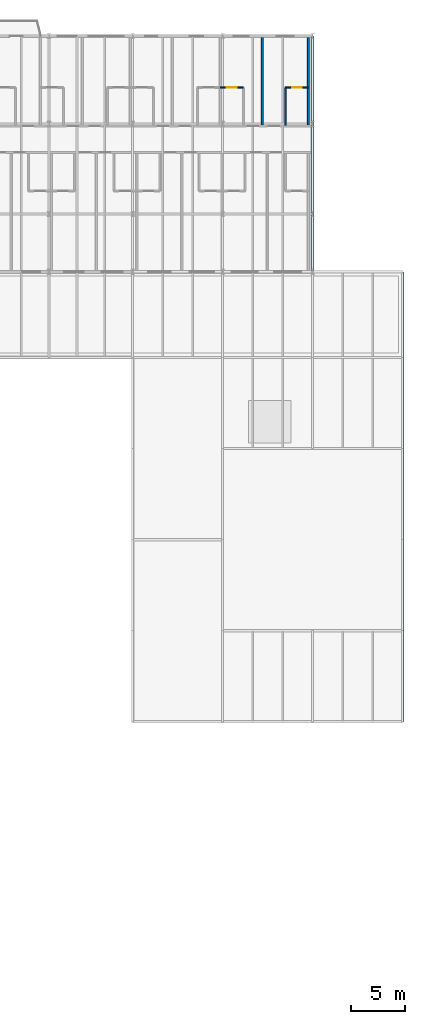
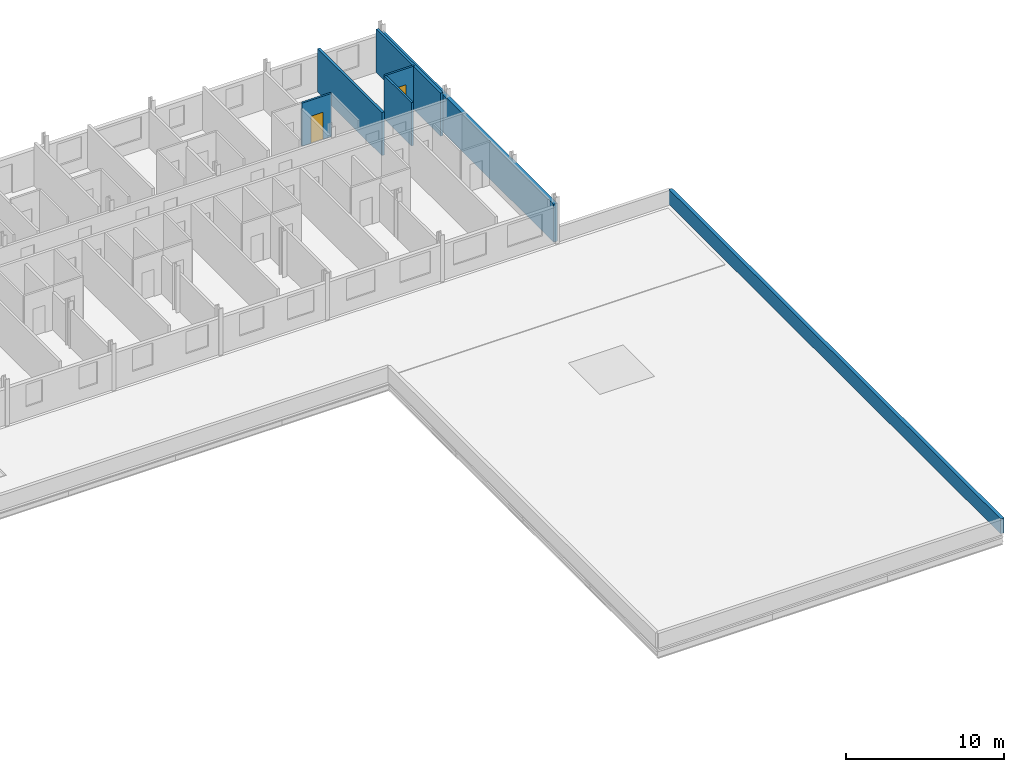
# One storey, part 31 of 36: 7 walls, 2 doors, 2 openings.
"""IFC4 building model written with IfcOpenShell, lengths in metres."""

import ifcopenshell
import ifcopenshell.guid

model = None  # the IFC model being written
_history = None  # IfcOwnerHistory: only IFC2X3 demands one
_inside = {}  # id of a spatial element -> (the spatial element, [elements in it])
_under = {}  # id of a project, library or spatial element -> (it, [spatial elements below it])
_declared = {}  # id of a project -> (the project, [libraries it declares])
_typed = {}  # id of a type object -> (the type object, [elements of that type])
_made_of = {}  # id of a material, layer set ... -> (it, [elements and type objects made of it])


def new_model(schema):
    """Start an empty IFC model of exactly this schema.

    Asked for "IFC4X3", IfcOpenShell would pick the latest addendum, in which some entities
    have other attributes; the version numbers below select the first issue.
    IFC2X3 requires an IfcOwnerHistory on every rooted entity: one is made here for all.
    """
    global model, _history
    if schema == "IFC4X3":
        model = ifcopenshell.file(schema_version=(4, 3, 0, 0))
    else:
        model = ifcopenshell.file(schema=schema)
    _inside.clear()
    _under.clear()
    _declared.clear()
    _typed.clear()
    _made_of.clear()
    _history = None
    if model.schema == "IFC2X3":
        org = make("IfcOrganization", Name="unknown")
        user = make(
            "IfcPersonAndOrganization",
            ThePerson=make("IfcPerson", FamilyName="unknown"),
            TheOrganization=org,
        )
        app = make(
            "IfcApplication",
            ApplicationDeveloper=org,
            Version="unknown",
            ApplicationFullName="unknown",
            ApplicationIdentifier="unknown",
        )
        _history = make(
            "IfcOwnerHistory",
            OwningUser=user,
            OwningApplication=app,
            ChangeAction="ADDED",
            CreationDate=0,
        )
    return model


def make(cls, **values):
    """One entity of the class cls with the attributes given. An attribute that is None is left unset."""
    return model.create_entity(
        cls, **{name: value for name, value in values.items() if value is not None}
    )


def rooted(cls, **values):
    """An entity with a GlobalId (a new one), such as an element, a storey or a relation."""
    return make(cls, GlobalId=ifcopenshell.guid.new(), OwnerHistory=_history, **values)


def si_unit(unit_type, name, prefix=None):
    """IfcSIUnit, for example si_unit("LENGTHUNIT", "METRE", prefix="MILLI")."""
    return make("IfcSIUnit", UnitType=unit_type, Prefix=prefix, Name=name)


def assignment(units):
    """IfcUnitAssignment: the units of a project."""
    return None if units is None else make("IfcUnitAssignment", Units=units)


def point(xyz):
    """IfcCartesianPoint."""
    return None if xyz is None else make("IfcCartesianPoint", Coordinates=xyz)


def direction(xyz):
    """IfcDirection."""
    return None if xyz is None else make("IfcDirection", DirectionRatios=xyz)


def frame(location, z_axis=None, x_axis=None):
    """IfcAxis2Placement3D, a coordinate frame: its origin and axes. An axis left out is left unset."""
    return make(
        "IfcAxis2Placement3D",
        Location=point(location),
        Axis=direction(z_axis),
        RefDirection=direction(x_axis),
    )


def frame_2d(location, x_axis=None):
    """IfcAxis2Placement2D, a coordinate frame in the plane: its origin and x axis."""
    return make(
        "IfcAxis2Placement2D", Location=point(location), RefDirection=direction(x_axis)
    )


def origin():
    """The frame at (0, 0, 0) with its axes left unset."""
    return frame((0.0, 0.0, 0.0))


def place(relative_to, where):
    """IfcLocalPlacement: puts the frame where relative to a parent placement (None: the world)."""
    return make(
        "IfcLocalPlacement", PlacementRelTo=relative_to, RelativePlacement=where
    )


def context(
    kind, dimensions, precision=None, world=None, true_north=None, identifier=None
):
    """IfcGeometricRepresentationContext, for example the 3D "Model" context."""
    return make(
        "IfcGeometricRepresentationContext",
        ContextIdentifier=identifier,
        ContextType=kind,
        CoordinateSpaceDimension=dimensions,
        Precision=precision,
        WorldCoordinateSystem=world,
        TrueNorth=true_north,
    )


def subcontext(parent, identifier, kind, view, scale=None):
    """IfcGeometricRepresentationSubContext, for example "Body" below "Model"."""
    return make(
        "IfcGeometricRepresentationSubContext",
        ContextIdentifier=identifier,
        ContextType=kind,
        ParentContext=parent,
        TargetScale=scale,
        TargetView=view,
    )


def project(units=None, contexts=None):
    """IfcProject with its units and contexts."""
    return rooted(
        "IfcProject",
        Name="project",
        RepresentationContexts=contexts,
        UnitsInContext=assignment(units),
    )


def spatial(cls, under=None, at=None, **own):
    """A site, building, storey or space (cls), placed at a placement, below another one or the project."""
    s = rooted(cls, ObjectPlacement=at, **own)
    if under is not None:
        _under.setdefault(under.id(), (under, []))[1].append(s)
    return s


def profile(cls, at=None, kind="AREA", **sizes):
    """A parametric profile (cls). Its sizes go by their IFC names, for example OverallWidth=200.0."""
    return make(cls, ProfileType=kind, Position=at, **sizes)


def rectangle(**sizes):
    """IfcRectangleProfileDef."""
    return profile("IfcRectangleProfileDef", **sizes)


def extrude(swept, where, along, depth):
    """IfcExtrudedAreaSolid: the profile swept, set in the frame where, extruded along a direction by depth."""
    return make(
        "IfcExtrudedAreaSolid",
        SweptArea=swept,
        Position=where,
        ExtrudedDirection=direction(along),
        Depth=depth,
    )


def shape(context_of_items, identifier, shape_type, items):
    """IfcShapeRepresentation: the items that make up one representation, for example the "Body"."""
    return make(
        "IfcShapeRepresentation",
        ContextOfItems=context_of_items,
        RepresentationIdentifier=identifier,
        RepresentationType=shape_type,
        Items=items,
    )


def material(Name=None, Category=None):
    """IfcMaterial."""
    return make("IfcMaterial", Name=Name, Category=Category)


def layer(
    of_material, thickness, ventilated=None, Name=None, Category=None, Priority=None
):
    """IfcMaterialLayer: one layer of a wall or slab, of a material (None: an air gap)."""
    return make(
        "IfcMaterialLayer",
        Material=of_material,
        LayerThickness=thickness,
        IsVentilated=ventilated,
        Name=Name,
        Category=Category,
        Priority=Priority,
    )


def layer_set(layers, Name=None):
    """IfcMaterialLayerSet."""
    return make("IfcMaterialLayerSet", MaterialLayers=layers, LayerSetName=Name)


def made_of(thing, what):
    """Note that an element or type object is made of a material, layer set ...; save() writes the relation."""
    if what is not None:
        _made_of.setdefault(what.id(), (what, []))[1].append(thing)
    return thing


def type_object(cls, material=None, **own):
    """A type object (cls), such as IfcWallType, which elements share."""
    return made_of(rooted(cls, **own), material)


def element(
    cls,
    number,
    at=None,
    inside=None,
    cuts=None,
    type_object=None,
    material=None,
    context=None,
    identifier="Body",
    shape_type=None,
    held_by="IfcProductDefinitionShape",
    body=None,
    shapes=None,
    **own,
):
    """One element of the class cls, such as IfcWall. Its Tag is "e" and its number.

    at: its placement. inside: the storey or other place that contains it. cuts: it is an
    opening in that element (IfcRelVoidsElement). A single representation is given by context,
    identifier, shape_type and body (its items); several are given by shapes. held_by: the class
    of the entity that holds the representations. save() writes the other relations.
    """
    e = rooted(cls, Tag="e%d" % number, ObjectPlacement=at, **own)
    if body is not None:
        shapes = [shape(context, identifier, shape_type, body)]
    if shapes is not None:
        e.Representation = make(held_by, Representations=shapes)
    if inside is not None:
        _inside.setdefault(inside.id(), (inside, []))[1].append(e)
    if cuts is not None:
        rooted(
            "IfcRelVoidsElement", RelatingBuildingElement=cuts, RelatedOpeningElement=e
        )
    if type_object is not None:
        _typed.setdefault(type_object.id(), (type_object, []))[1].append(e)
    return made_of(e, material)


def fill(opening, filler):
    """IfcRelFillsElement: the door or window that sits in an opening."""
    return rooted(
        "IfcRelFillsElement",
        RelatingOpeningElement=opening,
        RelatedBuildingElement=filler,
    )


def aggregate(whole, parts):
    """IfcRelAggregates: a whole, such as a stair, and the parts it consists of."""
    return rooted("IfcRelAggregates", RelatingObject=whole, RelatedObjects=parts)


def save(model, path):
    """Write the relations noted so far, then the file.

    IfcRelAggregates (storeys below a building ...), IfcRelContainedInSpatialStructure (elements
    in a storey), IfcRelDefinesByType, IfcRelAssociatesMaterial and IfcRelDeclares: one each for
    every whole, place, type object, material and project.
    """
    for whole, parts in _under.values():
        aggregate(whole, parts)
    for where, things in _inside.values():
        rooted(
            "IfcRelContainedInSpatialStructure",
            RelatedElements=things,
            RelatingStructure=where,
        )
    for kind, things in _typed.values():
        rooted("IfcRelDefinesByType", RelatedObjects=things, RelatingType=kind)
    for what, things in _made_of.values():
        rooted("IfcRelAssociatesMaterial", RelatedObjects=things, RelatingMaterial=what)
    for by, libraries in _declared.values():
        rooted("IfcRelDeclares", RelatingContext=by, RelatedDefinitions=libraries)
    model.write(path)


model = new_model("IFC4")

# Units and contexts
model_context = context("Model", 3, precision=1e-05, world=origin(), true_north=direction((0.0, 1.0)))
body_context = subcontext(model_context, "Body", "Model", "MODEL_VIEW")
ifc_project = project(units=[si_unit("LENGTHUNIT", "METRE"), si_unit("AREAUNIT", "SQUARE_METRE"), si_unit("VOLUMEUNIT", "CUBIC_METRE"), si_unit("PLANEANGLEUNIT", "RADIAN"), si_unit("MASSUNIT", "GRAM", prefix="KILO")], contexts=[model_context])

# Site, building, storey
site_placement = place(None, origin())
site = spatial("IfcSite", under=ifc_project, at=site_placement, CompositionType="ELEMENT")
building_placement = place(site_placement, origin())
building = spatial("IfcBuilding", under=site, at=building_placement, Name="Sefraquen Railside Congress Hotel", CompositionType="ELEMENT")
storey_placement = place(building_placement, frame((0.0, 0.0, 24.60009765625)))
storey = spatial("IfcBuildingStorey", under=building, at=storey_placement, Name="L05", CompositionType="ELEMENT", Elevation=24.60009765625)

# Walls
ifc_material_1 = material(Name="Ochre Rabat calcarenite limestone and Concrete C40/50 backing", Category="masonry")
ifc_layer_1 = layer(ifc_material_1, 0.280029296875)
ifc_layer_set_1 = layer_set([ifc_layer_1], Name="Ochre Rabat calcarenite limestone and Concrete C40/50 backing")
wall_type_1 = type_object("IfcWallType", Name="TW-EW-280", PredefinedType="STANDARD", material=ifc_layer_set_1)
wall_1_placement = place(storey_placement, frame((120.0, 96.0, 0.0), z_axis=(0.0, 0.0, 1.0), x_axis=(0.0, 1.0, 0.0)))
element("IfcWall", 1, at=wall_1_placement, inside=storey, type_object=wall_type_1, Name="Hotel L05 east gable facade wall", PredefinedType="STANDARD", context=body_context, shape_type="SweptSolid", body=[
    extrude(rectangle(XDim=22.0, YDim=0.280029296875, at=frame_2d((11.0, 0.0))), origin(), (0.0, 0.0, 1.0), 2.929931640625),
])
ifc_material_2 = material(Name="Precast concrete C40/50", Category="concrete")
ifc_layer_2 = layer(ifc_material_2, 0.25)
ifc_layer_set_2 = layer_set([ifc_layer_2], Name="Precast concrete C40/50")
wall_type_2 = type_object("IfcWallType", Name="TW-PA-250", PredefinedType="PARAPET", material=ifc_layer_set_2)
wall_2_placement = place(storey_placement, frame((128.39990234375, 54.0, 0.0), z_axis=(0.0, 0.0, 1.0), x_axis=(0.0, 1.0, 0.0)))
element("IfcWall", 2, at=wall_2_placement, inside=storey, type_object=wall_type_2, Name="Meeting Wing L05 roof parapet 04", PredefinedType="PARAPET", context=body_context, shape_type="SweptSolid", body=[
    extrude(rectangle(XDim=42.0, YDim=0.25, at=frame_2d((21.0, 0.0))), origin(), (0.0, 0.0, 1.0), 1.14990234375),
])

# Wall, opening, door
ifc_material_3 = material(Name="Moisture-resistant gypsum board", Category="gypsum")
ifc_layer_3 = layer(ifc_material_3, 0.139892578125)
ifc_layer_set_3 = layer_set([ifc_layer_3], Name="Moisture-resistant gypsum board")
wall_type_3 = type_object("IfcWallType", Name="TW-PW-140", PredefinedType="PARTITIONING", material=ifc_layer_set_3)
wall_3_placement = place(storey_placement, frame((111.3798828125, 113.199951171875, 0.0), z_axis=(0.0, 0.0, 1.0), x_axis=(1.0, 0.0, 0.0)))
wall_3 = element("IfcWall", 3, at=wall_3_placement, inside=storey, type_object=wall_type_3, Name="En-suite bathroom north wall RM-022", PredefinedType="PARTITIONING", context=body_context, shape_type="SweptSolid", body=[
    extrude(rectangle(XDim=2.150146484375, YDim=0.139892578125, at=frame_2d((1.0751953125, 0.0))), origin(), (0.0, 0.0, 1.0), 3.33984375),
])
opening_1_placement = place(wall_3_placement, frame((0.625, 0.0, 0.0)))
opening_1 = element("IfcOpeningElement", 4, at=opening_1_placement, cuts=wall_3, Name="Opening ID-02", PredefinedType="OPENING", context=body_context, shape_type="SweptSolid", body=[
    extrude(rectangle(XDim=0.89990234375, YDim=2.10009765625, at=frame_2d((0.449951171875, 1.050048828125))), frame((0.0, 0.079833984375, 0.0), z_axis=(0.0, -1.0, 0.0), x_axis=(1.0, 0.0, 0.0)), (0.0, 0.0, 1.0), 0.159912109375),
])
ifc_material_4 = material(Name="Lacquered cedar joinery", Category="wood")
door_type = type_object("IfcDoorType", Name="TD-ID-02", OperationType="NOTDEFINED", PredefinedType="DOOR", material=ifc_material_4)
door_1_placement = place(opening_1_placement, origin())
door_1 = element("IfcDoor", 5, at=door_1_placement, inside=storey, type_object=door_type, Name="En-suite bathroom door RM-022", OperationType="SINGLE_SWING_LEFT", OverallHeight=2.10009765625, OverallWidth=0.89990234375, PredefinedType="DOOR", context=body_context, shape_type="SweptSolid", body=[
    extrude(rectangle(XDim=0.89990234375, YDim=2.10009765625, at=frame_2d((0.449951171875, 1.050048828125))), frame((0.0, 0.02490234375, 0.0), z_axis=(0.0, -1.0, 0.0), x_axis=(1.0, 0.0, 0.0)), (0.0, 0.0, 1.0), 0.050048828125),
])
fill(opening_1, door_1)

# Wall
wall_4_placement = place(storey_placement, frame((117.449951171875, 109.699951171875, 0.0), z_axis=(0.0, 0.0, 1.0), x_axis=(0.0, 1.0, 0.0)))
element("IfcWall", 6, at=wall_4_placement, inside=storey, type_object=wall_type_3, Name="En-suite bathroom west wall RM-023", PredefinedType="PARTITIONING", context=body_context, shape_type="SweptSolid", body=[
    extrude(rectangle(XDim=3.5, YDim=0.139892578125, at=frame_2d((1.75, 0.0))), origin(), (0.0, 0.0, 1.0), 3.33984375),
])

# Wall, opening, door
wall_5_placement = place(storey_placement, frame((117.449951171875, 113.199951171875, 0.0), z_axis=(0.0, 0.0, 1.0), x_axis=(1.0, 0.0, 0.0)))
wall_5 = element("IfcWall", 7, at=wall_5_placement, inside=storey, type_object=wall_type_3, Name="En-suite bathroom north wall RM-023", PredefinedType="PARTITIONING", context=body_context, shape_type="SweptSolid", body=[
    extrude(rectangle(XDim=2.150146484375, YDim=0.139892578125, at=frame_2d((1.0751953125, 0.0))), origin(), (0.0, 0.0, 1.0), 3.33984375),
])
opening_2_placement = place(wall_5_placement, frame((0.625, 0.0, 0.0)))
opening_2 = element("IfcOpeningElement", 8, at=opening_2_placement, cuts=wall_5, Name="Opening ID-02", PredefinedType="OPENING", context=body_context, shape_type="SweptSolid", body=[
    extrude(rectangle(XDim=0.89990234375, YDim=2.10009765625, at=frame_2d((0.449951171875, 1.050048828125))), frame((0.0, 0.079833984375, 0.0), z_axis=(0.0, -1.0, 0.0), x_axis=(1.0, 0.0, 0.0)), (0.0, 0.0, 1.0), 0.159912109375),
])
door_2_placement = place(opening_2_placement, origin())
door_2 = element("IfcDoor", 9, at=door_2_placement, inside=storey, type_object=door_type, Name="En-suite bathroom door RM-023", OperationType="SINGLE_SWING_LEFT", OverallHeight=2.10009765625, OverallWidth=0.89990234375, PredefinedType="DOOR", context=body_context, shape_type="SweptSolid", body=[
    extrude(rectangle(XDim=0.89990234375, YDim=2.10009765625, at=frame_2d((0.449951171875, 1.050048828125))), frame((0.0, 0.02490234375, 0.0), z_axis=(0.0, -1.0, 0.0), x_axis=(1.0, 0.0, 0.0)), (0.0, 0.0, 1.0), 0.050048828125),
])
fill(opening_2, door_2)

# Walls
ifc_material_5 = material(Name="Acoustic gypsum board on metal stud", Category="gypsum")
ifc_layer_4 = layer(ifc_material_5, 0.179931640625)
ifc_layer_set_4 = layer_set([ifc_layer_4], Name="Acoustic gypsum board on metal stud")
wall_type_4 = type_object("IfcWallType", Name="TW-PW-180", PredefinedType="PARTITIONING", material=ifc_layer_set_4)
for number, where, z_axis, x_axis, name in (
    (10, (115.31005859375, 109.699951171875, 0.0), (0.0, 0.0, 1.0), (0.0, 1.0, 0.0), "Guest room demising wall RM-022"),
    (11, (119.60009765625, 109.699951171875, 0.0), (0.0, 0.0, 1.0), (0.0, 1.0, 0.0), "Guest room demising wall RM-023"),
):
    element("IfcWall", number, at=place(storey_placement, frame(where, z_axis=z_axis, x_axis=x_axis)), inside=storey, type_object=wall_type_4, Name=name, PredefinedType="PARTITIONING", context=body_context, shape_type="SweptSolid", body=[
        extrude(rectangle(XDim=8.150146484375, YDim=0.179931640625, at=frame_2d((4.0751953125, 0.0))), origin(), (0.0, 0.0, 1.0), 3.33984375),
    ])

save(model, "model.ifc")
